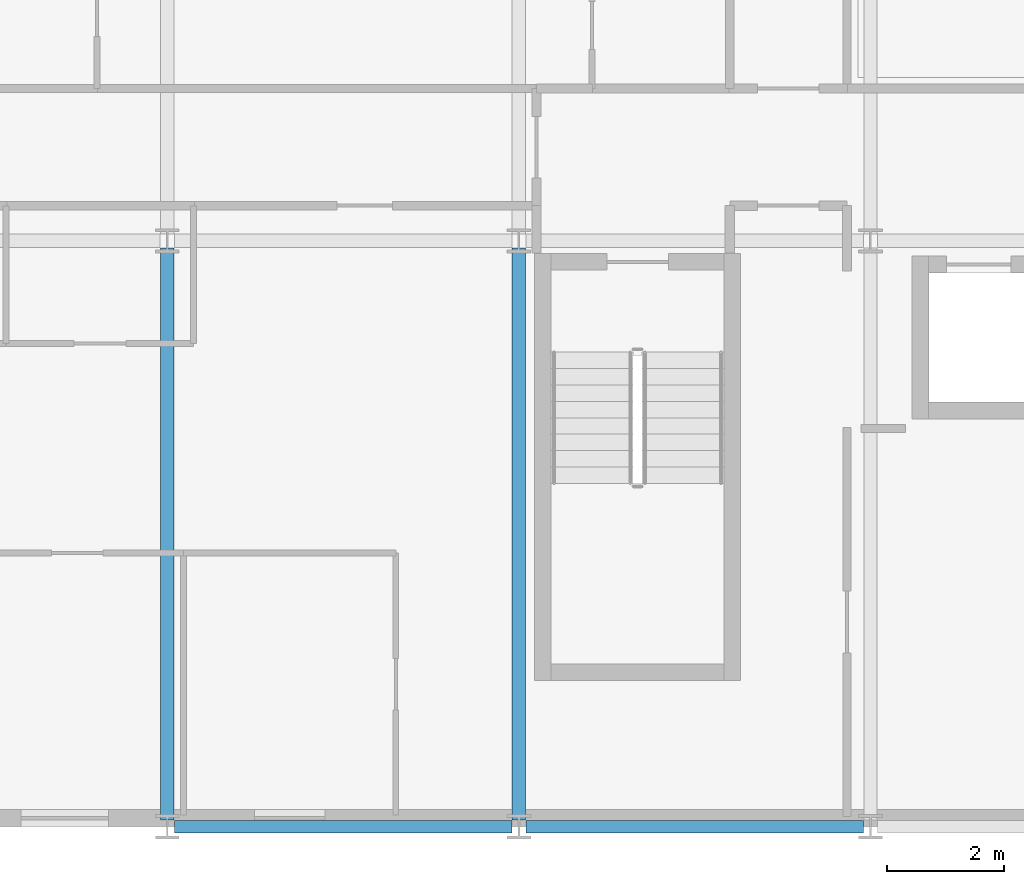
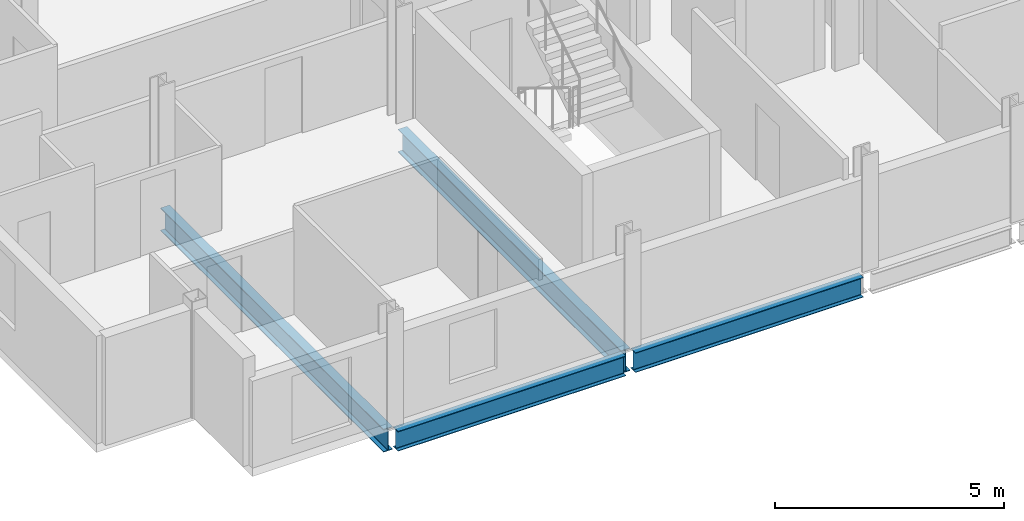
# One storey, part 3 of 38: 4 beams.
"""IFC4 building model written with IfcOpenShell, lengths in metres."""

from ifc_helpers import new_model, si_unit, direction, frame, origin, origin_2d, place, context, subcontext, project, spatial, i_section, extrude, material, material_profile, profile_set, type_object, element, save


model = new_model("IFC4")

# Units and contexts
model_context = context("Model", 3, precision=1e-05, world=origin(), true_north=direction((0.0, 1.0)))
body_context = subcontext(model_context, "Body", "Model", "MODEL_VIEW")
ifc_project = project(units=[si_unit("LENGTHUNIT", "METRE"), si_unit("AREAUNIT", "SQUARE_METRE"), si_unit("VOLUMEUNIT", "CUBIC_METRE"), si_unit("PLANEANGLEUNIT", "RADIAN"), si_unit("MASSUNIT", "GRAM", prefix="KILO")], contexts=[model_context])

# Site, building, storey
site_placement = place(None, origin())
site = spatial("IfcSite", under=ifc_project, at=site_placement, CompositionType="ELEMENT")
building_placement = place(site_placement, origin())
building = spatial("IfcBuilding", under=site, at=building_placement, Name="Brevholm Reach", CompositionType="ELEMENT")
storey_placement = place(building_placement, frame((0.0, 0.0, 141.800048828125)))
storey = spatial("IfcBuildingStorey", under=building, at=storey_placement, Name="L42", CompositionType="ELEMENT", Elevation=141.800048828125)

# Beams
ifc_material_1 = material(Name="Structural Steel S355J2", Category="steel")
ifc_material_profile_1 = material_profile(ifc_material_1, i_section(OverallWidth=0.209228515625, OverallDepth=0.533203125, WebThickness=0.010009765625, FlangeThickness=0.015625, FilletRadius=0.0126953125, at=origin_2d()), Name="UKB 533x210x92")
ifc_profile_set_1 = profile_set([ifc_material_profile_1], Name="Structural Steel S355J2")
beam_type_1 = type_object("IfcBeamType", Name="BM-SP533", PredefinedType="SPANDREL", material=ifc_profile_set_1)
for number, where, z_axis, x_axis, name in (
    (1, (6.1201171875, 0.0, -0.486572265625), (1.0, 0.0, 0.0), (0.0, 1.0, 0.0), "L42 SP-02 Framing Beam"),
    (2, (12.1201171875, 0.0, -0.486572265625), (1.0, 0.0, 0.0), (0.0, 1.0, 0.0), "L42 SP-02 Framing Beam"),
):
    element("IfcBeam", number, at=place(storey_placement, frame(where, z_axis=z_axis, x_axis=x_axis)), inside=storey, type_object=beam_type_1, Name=name, PredefinedType="SPANDREL", context=body_context, shape_type="SweptSolid", body=[
        extrude(i_section(OverallWidth=0.209228515625, OverallDepth=0.533203125, WebThickness=0.010009765625, FlangeThickness=0.015625, FilletRadius=0.0126953125, at=origin_2d()), origin(), (0.0, 0.0, 1.0), 5.759765625),
    ])
ifc_material_2 = material(Name="Structural Steel S355J2", Category="steel")
ifc_material_profile_2 = material_profile(ifc_material_2, i_section(OverallWidth=0.22900390625, OverallDepth=0.6123046875, WebThickness=0.011962890625, FlangeThickness=0.01953125, FilletRadius=0.0126953125, at=origin_2d()), Name="UKB 610x229x125")
ifc_profile_set_2 = profile_set([ifc_material_profile_2], Name="Structural Steel S355J2")
beam_type_2 = type_object("IfcBeamType", Name="BM-SP610", PredefinedType="SPANDREL", material=ifc_profile_set_2)
for number, where, z_axis, x_axis, name in (
    (3, (6.0, 0.1201171875, -0.526123046875), (0.0, 1.0, 0.0), (-1.0, 0.0, 0.0), "L42 SP-01 Framing Beam"),
    (4, (12.0, 0.1201171875, -0.526123046875), (0.0, 1.0, 0.0), (-1.0, 0.0, 0.0), "L42 SP-01 Framing Beam"),
):
    element("IfcBeam", number, at=place(storey_placement, frame(where, z_axis=z_axis, x_axis=x_axis)), inside=storey, type_object=beam_type_2, Name=name, PredefinedType="SPANDREL", context=body_context, shape_type="SweptSolid", body=[
        extrude(i_section(OverallWidth=0.22900390625, OverallDepth=0.6123046875, WebThickness=0.011962890625, FlangeThickness=0.01953125, FilletRadius=0.0126953125, at=origin_2d()), origin(), (0.0, 0.0, 1.0), 9.759765625),
    ])

save(model, "model.ifc")
